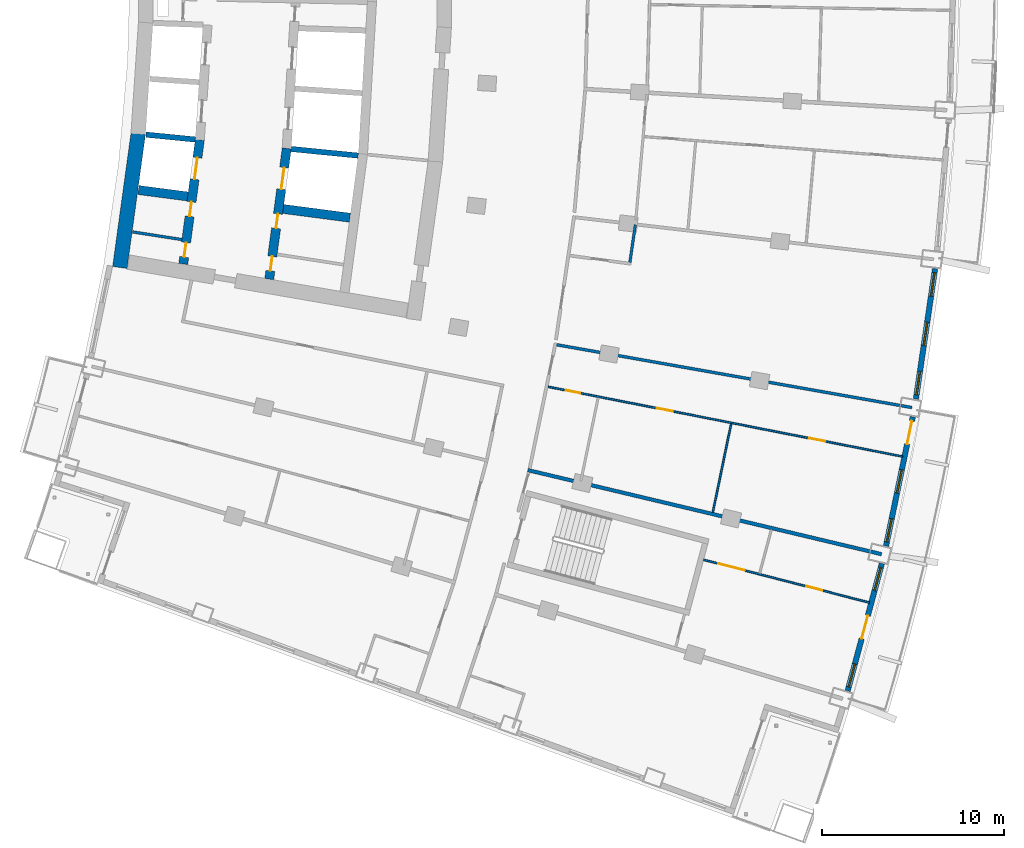
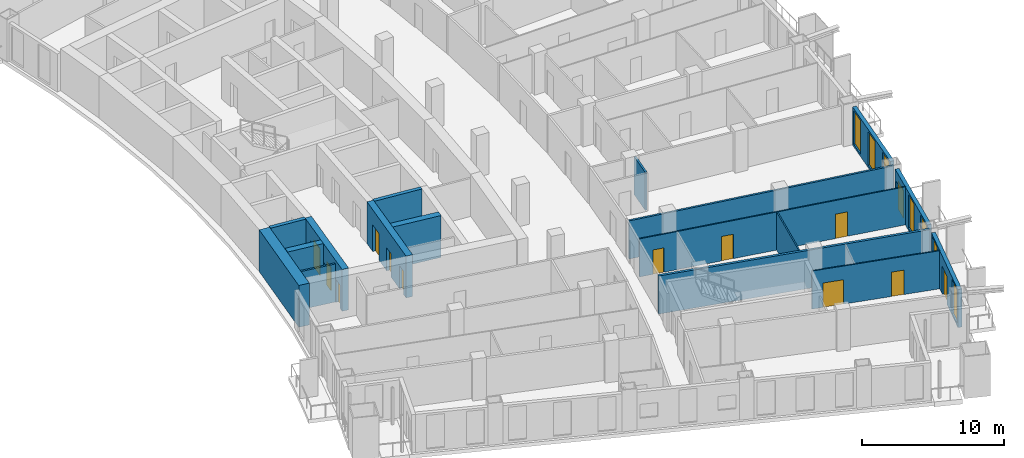
# One storey, part 15 of 25: 17 walls, 13 doors, 7 windows, 20 openings.
"""IFC4 building model written with IfcOpenShell, lengths in metres."""

from ifc_helpers import new_model, si_unit, direction, frame, frame_2d, origin, place, context, subcontext, project, spatial, rectangle, extrude, material, layer, layer_set, type_object, element, fill, save


model = new_model("IFC4")

# Units and contexts
model_context = context("Model", 3, precision=1e-05, world=origin(), true_north=direction((0.0, 1.0)))
body_context = subcontext(model_context, "Body", "Model", "MODEL_VIEW")
ifc_project = project(units=[si_unit("LENGTHUNIT", "METRE"), si_unit("AREAUNIT", "SQUARE_METRE"), si_unit("VOLUMEUNIT", "CUBIC_METRE"), si_unit("PLANEANGLEUNIT", "RADIAN"), si_unit("MASSUNIT", "GRAM", prefix="KILO")], contexts=[model_context])

# Site, building, storey
site_placement = place(None, origin())
site = spatial("IfcSite", under=ifc_project, at=site_placement, CompositionType="ELEMENT")
building_placement = place(site_placement, origin())
building = spatial("IfcBuilding", under=site, at=building_placement, Name="Alderwake Tower", CompositionType="ELEMENT")
storey_placement = place(building_placement, frame((0.0, 0.0, 107.60009765625)))
storey = spatial("IfcBuildingStorey", under=building, at=storey_placement, Name="L26", CompositionType="ELEMENT", Elevation=107.60009765625)

# Walls
ifc_material_1 = material(Name="Gypsum shaft wall system, rated")
ifc_layer_1 = layer(ifc_material_1, 0.14990234375)
ifc_layer_set_1 = layer_set([ifc_layer_1], Name="Core room partition 150")
wall_type_1 = type_object("IfcWallType", Name="Core room partition 150", PredefinedType="PARTITIONING", material=ifc_layer_set_1)
wall_1_placement = place(storey_placement, frame((16.122802734375, 46.082763671875, 0.0), z_axis=(0.0, 0.0, 1.0), x_axis=(0.988174136122, -0.153335829796, 0.0)))
element("IfcWall", 1, at=wall_1_placement, inside=storey, type_object=wall_type_1, Name="CW/L26/PR-161_+0", PredefinedType="PARTITIONING", context=body_context, shape_type="SweptSolid", body=[
    extrude(rectangle(XDim=2.740234375, YDim=0.14990234375, at=frame_2d((1.3701171875, 0.0))), origin(), (0.0, 0.0, 1.0), 3.27978515625),
])
ifc_material_2 = material(Name="Concrete C70/85", Category="concrete")
ifc_layer_2 = layer(ifc_material_2, 0.800048828125)
ifc_layer_set_2 = layer_set([ifc_layer_2], Name="Core wall outer 800 C70-85")
wall_type_2 = type_object("IfcWallType", Name="Core wall outer 800 C70-85", PredefinedType="SHEAR", material=ifc_layer_set_2)
wall_2_placement = place(storey_placement, frame((15.419921875, 44.12890625, 0.0), z_axis=(0.0, 0.0, 1.0), x_axis=(0.13634256868, 0.990661750531, 0.0)))
element("IfcWall", 2, at=wall_2_placement, inside=storey, type_object=wall_type_2, Name="Core wall CW.042", PredefinedType="SHEAR", context=body_context, shape_type="SweptSolid", body=[
    extrude(rectangle(XDim=7.42578125, YDim=0.800048828125, at=frame_2d((3.712890625, 0.0))), origin(), (0.0, 0.0, 1.0), 3.599853515625),
])
ifc_material_3 = material(Name="Concrete C70/85", Category="concrete")
ifc_layer_3 = layer(ifc_material_3, 0.300048828125)
ifc_layer_set_3 = layer_set([ifc_layer_3], Name="Core wall shaft 300 C70-85")
wall_type_3 = type_object("IfcWallType", Name="Core wall shaft 300 C70-85", PredefinedType="SHEAR", material=ifc_layer_set_3)
wall_3_placement = place(storey_placement, frame((16.8583984375, 51.4287109375, 0.0), z_axis=(0.0, 0.0, 1.0), x_axis=(0.995157330456, -0.098294901394, 0.0)))
element("IfcWall", 3, at=wall_3_placement, inside=storey, type_object=wall_type_3, Name="Core wall CW.065", PredefinedType="SHEAR", context=body_context, shape_type="SweptSolid", body=[
    extrude(rectangle(XDim=2.7197265625, YDim=0.300048828125, at=frame_2d((1.35986328125, 0.0))), origin(), (0.0, 0.0, 1.0), 3.599853515625),
])
wall_4_placement = place(storey_placement, frame((24.839599609375, 50.64013671875, 0.0), z_axis=(0.0, 0.0, 1.0), x_axis=(0.995150987401, -0.098359098589, 0.0)))
element("IfcWall", 4, at=wall_4_placement, inside=storey, type_object=wall_type_3, Name="Core wall CW.066", PredefinedType="SHEAR", context=body_context, shape_type="SweptSolid", body=[
    extrude(rectangle(XDim=3.69580078125, YDim=0.300048828125, at=frame_2d((1.847900390625, 0.0))), origin(), (0.0, 0.0, 1.0), 3.599853515625),
])

# Wall, openings, doors
ifc_material_4 = material(Name="Concrete C70/85", Category="concrete")
ifc_layer_4 = layer(ifc_material_4, 0.5)
ifc_layer_set_4 = layer_set([ifc_layer_4], Name="Core wall spine 500 C70-85")
wall_type_4 = type_object("IfcWallType", Name="Core wall spine 500 C70-85", PredefinedType="SHEAR", material=ifc_layer_set_4)
wall_5_placement = place(storey_placement, frame((19.81494140625, 51.145263671875, 0.0), z_axis=(0.0, 0.0, 1.0), x_axis=(-0.132349652161, -0.991203091991, 0.0)))
wall_5 = element("IfcWall", 5, at=wall_5_placement, inside=storey, type_object=wall_type_4, Name="Core wall CW.033", PredefinedType="SHEAR", context=body_context, shape_type="SweptSolid", body=[
    extrude(rectangle(XDim=6.880615234375, YDim=0.5, at=frame_2d((3.4404296875, 0.0))), origin(), (0.0, 0.0, 1.0), 3.599853515625),
])
opening_1_placement = place(wall_5_placement, frame((0.99072265625, 0.0, 0.0)))
opening_1 = element("IfcOpeningElement", 6, at=opening_1_placement, cuts=wall_5, Name="Opening LD-LP1", PredefinedType="OPENING", context=body_context, shape_type="SweptSolid", body=[
    extrude(rectangle(XDim=1.199951171875, YDim=2.300048828125, at=frame_2d((0.60009765625, 1.14990234375))), frame((0.0, 0.260009765625, 0.0), z_axis=(0.0, -1.0, 0.0), x_axis=(1.0, 0.0, 0.0)), (0.0, 0.0, 1.0), 0.52001953125),
])
opening_2_placement = place(wall_5_placement, frame((5.698486328125, 0.0, 0.0)))
opening_2 = element("IfcOpeningElement", 7, at=opening_2_placement, cuts=wall_5, Name="Opening C009", PredefinedType="OPENING", context=body_context, shape_type="SweptSolid", body=[
    extrude(rectangle(XDim=0.800048828125, YDim=2.0, at=frame_2d((0.39990234375, 1.0))), frame((0.0, 0.260009765625, 0.0), z_axis=(0.0, -1.0, 0.0), x_axis=(1.0, 0.0, 0.0)), (0.0, 0.0, 1.0), 0.52001953125),
])
opening_3_placement = place(wall_5_placement, frame((3.444580078125, 0.0, 0.0)))
opening_3 = element("IfcOpeningElement", 8, at=opening_3_placement, cuts=wall_5, Name="Opening C010", PredefinedType="OPENING", context=body_context, shape_type="SweptSolid", body=[
    extrude(rectangle(XDim=0.800048828125, YDim=2.0, at=frame_2d((0.39990234375, 1.0))), frame((0.0, 0.260009765625, 0.0), z_axis=(0.0, -1.0, 0.0), x_axis=(1.0, 0.0, 0.0)), (0.0, 0.0, 1.0), 0.52001953125),
])
ifc_material_5 = material(Name="Stainless steel sliding leaf", Category="steel")
door_type_1 = type_object("IfcDoorType", Name="Lift landing door 1200", OperationType="SLIDING_TO_LEFT", PredefinedType="DOOR", material=ifc_material_5)
door_1_placement = place(opening_1_placement, origin())
door_1 = element("IfcDoor", 9, at=door_1_placement, inside=storey, type_object=door_type_1, Name="Lift landing door LP1", OperationType="SLIDING_TO_LEFT", OverallHeight=2.300048828125, OverallWidth=1.199951171875, PredefinedType="DOOR", context=body_context, shape_type="SweptSolid", body=[
    extrude(rectangle(XDim=1.199951171875, YDim=2.300048828125, at=frame_2d((0.60009765625, 1.14990234375))), frame((0.0, 0.02490234375, 0.0), z_axis=(0.0, -1.0, 0.0), x_axis=(1.0, 0.0, 0.0)), (0.0, 0.0, 1.0), 0.050048828125),
])
fill(opening_1, door_1)
ifc_material_6 = material(Name="Painted steel leaf, rated", Category="steel")
door_type_2 = type_object("IfcDoorType", Name="Riser access door 800", OperationType="SINGLE_SWING_LEFT", PredefinedType="DOOR", material=ifc_material_6)
door_2_placement = place(opening_2_placement, origin())
door_2 = element("IfcDoor", 10, at=door_2_placement, inside=storey, type_object=door_type_2, Name="Riser access door", OperationType="SINGLE_SWING_LEFT", OverallHeight=2.0, OverallWidth=0.800048828125, PredefinedType="DOOR", context=body_context, shape_type="SweptSolid", body=[
    extrude(rectangle(XDim=0.800048828125, YDim=2.0, at=frame_2d((0.39990234375, 1.0))), frame((0.0, 0.02490234375, 0.0), z_axis=(0.0, -1.0, 0.0), x_axis=(1.0, 0.0, 0.0)), (0.0, 0.0, 1.0), 0.050048828125),
])
fill(opening_2, door_2)
door_3_placement = place(opening_3_placement, origin())
door_3 = element("IfcDoor", 11, at=door_3_placement, inside=storey, type_object=door_type_2, Name="Riser access door", OperationType="SINGLE_SWING_RIGHT", OverallHeight=2.0, OverallWidth=0.800048828125, PredefinedType="DOOR", context=body_context, shape_type="SweptSolid", body=[
    extrude(rectangle(XDim=0.800048828125, YDim=2.0, at=frame_2d((0.39990234375, 1.0))), frame((0.0, 0.02490234375, 0.0), z_axis=(0.0, -1.0, 0.0), x_axis=(1.0, 0.0, 0.0)), (0.0, 0.0, 1.0), 0.050048828125),
])
fill(opening_3, door_3)

wall_6_placement = place(storey_placement, frame((23.631103515625, 43.489501953125, 0.0), z_axis=(0.0, 0.0, 1.0), x_axis=(0.132532135635, 0.991178708924, 0.0)))
wall_6 = element("IfcWall", 12, at=wall_6_placement, inside=storey, type_object=wall_type_4, Name="Core wall CW.047", PredefinedType="SHEAR", context=body_context, shape_type="SweptSolid", body=[
    extrude(rectangle(XDim=7.248779296875, YDim=0.5, at=frame_2d((3.62451171875, 0.0))), origin(), (0.0, 0.0, 1.0), 3.599853515625),
])
opening_4_placement = place(wall_6_placement, frame((4.981201171875, 0.0, 0.0)))
opening_4 = element("IfcOpeningElement", 13, at=opening_4_placement, cuts=wall_6, Name="Opening LD-LP4", PredefinedType="OPENING", context=body_context, shape_type="SweptSolid", body=[
    extrude(rectangle(XDim=1.199951171875, YDim=2.300048828125, at=frame_2d((0.60009765625, 1.14990234375))), frame((0.0, 0.260009765625, 0.0), z_axis=(0.0, -1.0, 0.0), x_axis=(1.0, 0.0, 0.0)), (0.0, 0.0, 1.0), 0.52001953125),
])
opening_5_placement = place(wall_6_placement, frame((0.4580078125, 0.0, 0.0)))
opening_5 = element("IfcOpeningElement", 14, at=opening_5_placement, cuts=wall_6, Name="Opening C016", PredefinedType="OPENING", context=body_context, shape_type="SweptSolid", body=[
    extrude(rectangle(XDim=0.800048828125, YDim=2.0, at=frame_2d((0.39990234375, 1.0))), frame((0.0, 0.260009765625, 0.0), z_axis=(0.0, -1.0, 0.0), x_axis=(1.0, 0.0, 0.0)), (0.0, 0.0, 1.0), 0.52001953125),
])
opening_6_placement = place(wall_6_placement, frame((2.819580078125, 0.0, 0.0)))
opening_6 = element("IfcOpeningElement", 15, at=opening_6_placement, cuts=wall_6, Name="Opening C017", PredefinedType="OPENING", context=body_context, shape_type="SweptSolid", body=[
    extrude(rectangle(XDim=0.800048828125, YDim=2.0, at=frame_2d((0.39990234375, 1.0))), frame((0.0, 0.260009765625, 0.0), z_axis=(0.0, -1.0, 0.0), x_axis=(1.0, 0.0, 0.0)), (0.0, 0.0, 1.0), 0.52001953125),
])
door_4_placement = place(opening_4_placement, origin())
door_4 = element("IfcDoor", 16, at=door_4_placement, inside=storey, type_object=door_type_1, Name="Lift landing door LP4", OperationType="SLIDING_TO_LEFT", OverallHeight=2.300048828125, OverallWidth=1.199951171875, PredefinedType="DOOR", context=body_context, shape_type="SweptSolid", body=[
    extrude(rectangle(XDim=1.199951171875, YDim=2.300048828125, at=frame_2d((0.60009765625, 1.14990234375))), frame((0.0, 0.02490234375, 0.0), z_axis=(0.0, -1.0, 0.0), x_axis=(1.0, 0.0, 0.0)), (0.0, 0.0, 1.0), 0.050048828125),
])
fill(opening_4, door_4)
door_5_placement = place(opening_5_placement, origin())
door_5 = element("IfcDoor", 17, at=door_5_placement, inside=storey, type_object=door_type_2, Name="Riser access door", OperationType="SINGLE_SWING_LEFT", OverallHeight=2.0, OverallWidth=0.800048828125, PredefinedType="DOOR", context=body_context, shape_type="SweptSolid", body=[
    extrude(rectangle(XDim=0.800048828125, YDim=2.0, at=frame_2d((0.39990234375, 1.0))), frame((0.0, 0.02490234375, 0.0), z_axis=(0.0, -1.0, 0.0), x_axis=(1.0, 0.0, 0.0)), (0.0, 0.0, 1.0), 0.050048828125),
])
fill(opening_5, door_5)
door_6_placement = place(opening_6_placement, origin())
door_6 = element("IfcDoor", 18, at=door_6_placement, inside=storey, type_object=door_type_2, Name="Riser access door", OperationType="SINGLE_SWING_RIGHT", OverallHeight=2.0, OverallWidth=0.800048828125, PredefinedType="DOOR", context=body_context, shape_type="SweptSolid", body=[
    extrude(rectangle(XDim=0.800048828125, YDim=2.0, at=frame_2d((0.39990234375, 1.0))), frame((0.0, 0.02490234375, 0.0), z_axis=(0.0, -1.0, 0.0), x_axis=(1.0, 0.0, 0.0)), (0.0, 0.0, 1.0), 0.050048828125),
])
fill(opening_6, door_6)

# Walls
wall_7_placement = place(storey_placement, frame((16.43994140625, 48.38623046875, 0.0), z_axis=(0.0, 0.0, 1.0), x_axis=(0.991557472006, -0.129667959452, 0.0)))
element("IfcWall", 19, at=wall_7_placement, inside=storey, type_object=wall_type_4, Name="Core wall CW.067", PredefinedType="SHEAR", context=body_context, shape_type="SweptSolid", body=[
    extrude(rectangle(XDim=2.72998046875, YDim=0.5, at=frame_2d((1.364990234375, 0.0))), origin(), (0.0, 0.0, 1.0), 3.599853515625),
])
wall_8_placement = place(storey_placement, frame((24.39892578125, 47.345458984375, 0.0), z_axis=(0.0, 0.0, 1.0), x_axis=(0.991553185565, -0.129700733209, 0.0)))
element("IfcWall", 20, at=wall_8_placement, inside=storey, type_object=wall_type_4, Name="Core wall CW.069", PredefinedType="SHEAR", context=body_context, shape_type="SweptSolid", body=[
    extrude(rectangle(XDim=3.695068359375, YDim=0.5, at=frame_2d((1.84765625, 0.0))), origin(), (0.0, 0.0, 1.0), 3.599853515625),
])
ifc_material_7 = material(Name="Gypsum board on metal studs, rated")
ifc_layer_5 = layer(ifc_material_7, 0.159912109375)
ifc_layer_set_5 = layer_set([ifc_layer_5], Name="Corridor wall 160")
wall_type_5 = type_object("IfcWallType", Name="Corridor wall 160", PredefinedType="PARTITIONING", material=ifc_layer_set_5)
wall_9_placement = place(storey_placement, frame((58.944091796875, 36.431884765625, 0.0), z_axis=(0.0, 0.0, 1.0), x_axis=(-0.984723605958, 0.174124725039, 0.0)))
element("IfcWall", 21, at=wall_9_placement, inside=storey, type_object=wall_type_5, Name="WL/L26/W43", PredefinedType="PARTITIONING", context=body_context, shape_type="SweptSolid", body=[
    extrude(rectangle(XDim=19.820068359375, YDim=0.159912109375, at=frame_2d((9.91015625, 0.0))), origin(), (0.0, 0.0, 1.0), 3.27978515625),
])

# Wall, openings, door, windows
ifc_material_8 = material(Name="Precast concrete C50/60 spandrel panel", Category="concrete")
ifc_layer_6 = layer(ifc_material_8, 0.300048828125)
ifc_layer_set_6 = layer_set([ifc_layer_6], Name="External wall EW1 Precast concrete C50/60 spandrel")
wall_type_6 = type_object("IfcWallType", Name="External wall EW1 Precast concrete C50/60 spandrel", PredefinedType="SOLIDWALL", material=ifc_layer_set_6)
wall_10_placement = place(storey_placement, frame((55.413818359375, 20.865478515625, 0.0), z_axis=(0.0, 0.0, 1.0), x_axis=(0.259492183522, 0.965745207957, 0.0)))
wall_10 = element("IfcWall", 22, at=wall_10_placement, inside=storey, type_object=wall_type_6, Name="External wall 12", PredefinedType="SOLIDWALL", context=body_context, shape_type="SweptSolid", body=[
    extrude(rectangle(XDim=7.24072265625, YDim=0.300048828125, at=frame_2d((3.620361328125, 0.0))), origin(), (0.0, 0.0, 1.0), 3.27978515625),
])
opening_7_placement = place(wall_10_placement, frame((0.22900390625, 0.0, 0.199951171875)))
opening_7 = element("IfcOpeningElement", 23, at=opening_7_placement, cuts=wall_10, Name="Opening W1", PredefinedType="OPENING", context=body_context, shape_type="SweptSolid", body=[
    extrude(rectangle(XDim=1.300048828125, YDim=2.89990234375, at=frame_2d((0.64990234375, 1.449951171875))), frame((0.0, 0.159912109375, 0.0), z_axis=(0.0, -1.0, 0.0), x_axis=(1.0, 0.0, 0.0)), (0.0, 0.0, 1.0), 0.320068359375),
])
opening_8_placement = place(wall_10_placement, frame((2.97021484375, 0.0, 0.0)))
opening_8 = element("IfcOpeningElement", 24, at=opening_8_placement, cuts=wall_10, Name="Opening D03", PredefinedType="OPENING", context=body_context, shape_type="SweptSolid", body=[
    extrude(rectangle(XDim=1.300048828125, YDim=2.39990234375, at=frame_2d((0.64990234375, 1.199951171875))), frame((0.0, 0.159912109375, 0.0), z_axis=(0.0, -1.0, 0.0), x_axis=(1.0, 0.0, 0.0)), (0.0, 0.0, 1.0), 0.320068359375),
])
opening_9_placement = place(wall_10_placement, frame((5.711669921875, 0.0, 0.199951171875)))
opening_9 = element("IfcOpeningElement", 25, at=opening_9_placement, cuts=wall_10, Name="Opening W1", PredefinedType="OPENING", context=body_context, shape_type="SweptSolid", body=[
    extrude(rectangle(XDim=1.300048828125, YDim=2.89990234375, at=frame_2d((0.64990234375, 1.449951171875))), frame((0.0, 0.159912109375, 0.0), z_axis=(0.0, -1.0, 0.0), x_axis=(1.0, 0.0, 0.0)), (0.0, 0.0, 1.0), 0.320068359375),
])
ifc_material_9 = material(Name="Bronze tinted glass in aluminium frame", Category="aluminium")
door_type_3 = type_object("IfcDoorType", Name="Balcony door BD sliding", OperationType="SLIDING_TO_LEFT", PredefinedType="DOOR", material=ifc_material_9)
door_7_placement = place(opening_8_placement, origin())
door_7 = element("IfcDoor", 26, at=door_7_placement, inside=storey, type_object=door_type_3, Name="Door D03", OperationType="SLIDING_TO_LEFT", OverallHeight=2.39990234375, OverallWidth=1.300048828125, PredefinedType="DOOR", context=body_context, shape_type="SweptSolid", body=[
    extrude(rectangle(XDim=1.300048828125, YDim=2.39990234375, at=frame_2d((0.64990234375, 1.199951171875))), frame((0.0, 0.02490234375, 0.0), z_axis=(0.0, -1.0, 0.0), x_axis=(1.0, 0.0, 0.0)), (0.0, 0.0, 1.0), 0.050048828125),
])
fill(opening_8, door_7)
ifc_material_10 = material(Name="Bronze tinted glass in aluminium frame", Category="aluminium")
window_type = type_object("IfcWindowType", Name="Window W1 tall fixed and vent", PartitioningType="DOUBLE_PANEL_VERTICAL", PredefinedType="WINDOW", material=ifc_material_10)
window_1_placement = place(opening_7_placement, origin())
window_1 = element("IfcWindow", 27, at=window_1_placement, inside=storey, type_object=window_type, Name="Window W1 tall fixed and vent", OverallHeight=2.89990234375, OverallWidth=1.300048828125, PartitioningType="DOUBLE_PANEL_VERTICAL", PredefinedType="WINDOW", context=body_context, shape_type="SweptSolid", body=[
    extrude(rectangle(XDim=1.300048828125, YDim=2.89990234375, at=frame_2d((0.64990234375, 1.449951171875))), frame((0.0, 0.030029296875, 0.0), z_axis=(0.0, -1.0, 0.0), x_axis=(1.0, 0.0, 0.0)), (0.0, 0.0, 1.0), 0.06005859375),
])
fill(opening_7, window_1)
window_2_placement = place(opening_9_placement, origin())
window_2 = element("IfcWindow", 28, at=window_2_placement, inside=storey, type_object=window_type, Name="Window W1 tall fixed and vent", OverallHeight=2.89990234375, OverallWidth=1.300048828125, PartitioningType="DOUBLE_PANEL_VERTICAL", PredefinedType="WINDOW", context=body_context, shape_type="SweptSolid", body=[
    extrude(rectangle(XDim=1.300048828125, YDim=2.89990234375, at=frame_2d((0.64990234375, 1.449951171875))), frame((0.0, 0.030029296875, 0.0), z_axis=(0.0, -1.0, 0.0), x_axis=(1.0, 0.0, 0.0)), (0.0, 0.0, 1.0), 0.06005859375),
])
fill(opening_9, window_2)

wall_11_placement = place(storey_placement, frame((57.5234375, 28.828369140625, 0.0), z_axis=(0.0, 0.0, 1.0), x_axis=(0.202744971344, 0.97923157455, 0.0)))
wall_11 = element("IfcWall", 29, at=wall_11_placement, inside=storey, type_object=wall_type_6, Name="External wall 13", PredefinedType="SOLIDWALL", context=body_context, shape_type="SweptSolid", body=[
    extrude(rectangle(XDim=7.24072265625, YDim=0.300048828125, at=frame_2d((3.620361328125, 0.0))), origin(), (0.0, 0.0, 1.0), 3.27978515625),
])
opening_10_placement = place(wall_11_placement, frame((0.22900390625, 0.0, 0.199951171875)))
opening_10 = element("IfcOpeningElement", 30, at=opening_10_placement, cuts=wall_11, Name="Opening W1", PredefinedType="OPENING", context=body_context, shape_type="SweptSolid", body=[
    extrude(rectangle(XDim=1.300048828125, YDim=2.89990234375, at=frame_2d((0.64990234375, 1.449951171875))), frame((0.0, 0.159912109375, 0.0), z_axis=(0.0, -1.0, 0.0), x_axis=(1.0, 0.0, 0.0)), (0.0, 0.0, 1.0), 0.320068359375),
])
opening_11_placement = place(wall_11_placement, frame((2.970458984375, 0.0, 0.199951171875)))
opening_11 = element("IfcOpeningElement", 31, at=opening_11_placement, cuts=wall_11, Name="Opening W1", PredefinedType="OPENING", context=body_context, shape_type="SweptSolid", body=[
    extrude(rectangle(XDim=1.300048828125, YDim=2.89990234375, at=frame_2d((0.64990234375, 1.449951171875))), frame((0.0, 0.159912109375, 0.0), z_axis=(0.0, -1.0, 0.0), x_axis=(1.0, 0.0, 0.0)), (0.0, 0.0, 1.0), 0.320068359375),
])
opening_12_placement = place(wall_11_placement, frame((5.711669921875, 0.0, 0.0)))
opening_12 = element("IfcOpeningElement", 32, at=opening_12_placement, cuts=wall_11, Name="Opening D04", PredefinedType="OPENING", context=body_context, shape_type="SweptSolid", body=[
    extrude(rectangle(XDim=1.300048828125, YDim=2.39990234375, at=frame_2d((0.64990234375, 1.199951171875))), frame((0.0, 0.159912109375, 0.0), z_axis=(0.0, -1.0, 0.0), x_axis=(1.0, 0.0, 0.0)), (0.0, 0.0, 1.0), 0.320068359375),
])
door_8_placement = place(opening_12_placement, origin())
door_8 = element("IfcDoor", 33, at=door_8_placement, inside=storey, type_object=door_type_3, Name="Door D04", OperationType="SLIDING_TO_LEFT", OverallHeight=2.39990234375, OverallWidth=1.300048828125, PredefinedType="DOOR", context=body_context, shape_type="SweptSolid", body=[
    extrude(rectangle(XDim=1.300048828125, YDim=2.39990234375, at=frame_2d((0.64990234375, 1.199951171875))), frame((0.0, 0.02490234375, 0.0), z_axis=(0.0, -1.0, 0.0), x_axis=(1.0, 0.0, 0.0)), (0.0, 0.0, 1.0), 0.050048828125),
])
fill(opening_12, door_8)
window_3_placement = place(opening_10_placement, origin())
window_3 = element("IfcWindow", 34, at=window_3_placement, inside=storey, type_object=window_type, Name="Window W1 tall fixed and vent", OverallHeight=2.89990234375, OverallWidth=1.300048828125, PartitioningType="DOUBLE_PANEL_VERTICAL", PredefinedType="WINDOW", context=body_context, shape_type="SweptSolid", body=[
    extrude(rectangle(XDim=1.300048828125, YDim=2.89990234375, at=frame_2d((0.64990234375, 1.449951171875))), frame((0.0, 0.030029296875, 0.0), z_axis=(0.0, -1.0, 0.0), x_axis=(1.0, 0.0, 0.0)), (0.0, 0.0, 1.0), 0.06005859375),
])
fill(opening_10, window_3)
window_4_placement = place(opening_11_placement, origin())
window_4 = element("IfcWindow", 35, at=window_4_placement, inside=storey, type_object=window_type, Name="Window W1 tall fixed and vent", OverallHeight=2.89990234375, OverallWidth=1.300048828125, PartitioningType="DOUBLE_PANEL_VERTICAL", PredefinedType="WINDOW", context=body_context, shape_type="SweptSolid", body=[
    extrude(rectangle(XDim=1.300048828125, YDim=2.89990234375, at=frame_2d((0.64990234375, 1.449951171875))), frame((0.0, 0.030029296875, 0.0), z_axis=(0.0, -1.0, 0.0), x_axis=(1.0, 0.0, 0.0)), (0.0, 0.0, 1.0), 0.06005859375),
])
fill(opening_11, window_4)

# Wall, openings, windows
wall_12_placement = place(storey_placement, frame((59.1650390625, 36.90087890625, 0.0), z_axis=(0.0, 0.0, 1.0), x_axis=(0.145324114128, 0.989384102284, 0.0)))
wall_12 = element("IfcWall", 36, at=wall_12_placement, inside=storey, type_object=wall_type_6, Name="External wall 14", PredefinedType="SOLIDWALL", context=body_context, shape_type="SweptSolid", body=[
    extrude(rectangle(XDim=7.24072265625, YDim=0.300048828125, at=frame_2d((3.620361328125, 0.0))), origin(), (0.0, 0.0, 1.0), 3.27978515625),
])
opening_13_placement = place(wall_12_placement, frame((0.22900390625, 0.0, 0.199951171875)))
opening_13 = element("IfcOpeningElement", 37, at=opening_13_placement, cuts=wall_12, Name="Opening W1", PredefinedType="OPENING", context=body_context, shape_type="SweptSolid", body=[
    extrude(rectangle(XDim=1.300048828125, YDim=2.89990234375, at=frame_2d((0.64990234375, 1.449951171875))), frame((0.0, 0.159912109375, 0.0), z_axis=(0.0, -1.0, 0.0), x_axis=(1.0, 0.0, 0.0)), (0.0, 0.0, 1.0), 0.320068359375),
])
opening_14_placement = place(wall_12_placement, frame((2.97021484375, 0.0, 0.199951171875)))
opening_14 = element("IfcOpeningElement", 38, at=opening_14_placement, cuts=wall_12, Name="Opening W1", PredefinedType="OPENING", context=body_context, shape_type="SweptSolid", body=[
    extrude(rectangle(XDim=1.300048828125, YDim=2.89990234375, at=frame_2d((0.64990234375, 1.449951171875))), frame((0.0, 0.159912109375, 0.0), z_axis=(0.0, -1.0, 0.0), x_axis=(1.0, 0.0, 0.0)), (0.0, 0.0, 1.0), 0.320068359375),
])
opening_15_placement = place(wall_12_placement, frame((5.711669921875, 0.0, 0.199951171875)))
opening_15 = element("IfcOpeningElement", 39, at=opening_15_placement, cuts=wall_12, Name="Opening W1", PredefinedType="OPENING", context=body_context, shape_type="SweptSolid", body=[
    extrude(rectangle(XDim=1.300048828125, YDim=2.89990234375, at=frame_2d((0.64990234375, 1.449951171875))), frame((0.0, 0.159912109375, 0.0), z_axis=(0.0, -1.0, 0.0), x_axis=(1.0, 0.0, 0.0)), (0.0, 0.0, 1.0), 0.320068359375),
])
window_5_placement = place(opening_13_placement, origin())
window_5 = element("IfcWindow", 40, at=window_5_placement, inside=storey, type_object=window_type, Name="Window W1 tall fixed and vent", OverallHeight=2.89990234375, OverallWidth=1.300048828125, PartitioningType="DOUBLE_PANEL_VERTICAL", PredefinedType="WINDOW", context=body_context, shape_type="SweptSolid", body=[
    extrude(rectangle(XDim=1.300048828125, YDim=2.89990234375, at=frame_2d((0.64990234375, 1.449951171875))), frame((0.0, 0.030029296875, 0.0), z_axis=(0.0, -1.0, 0.0), x_axis=(1.0, 0.0, 0.0)), (0.0, 0.0, 1.0), 0.06005859375),
])
fill(opening_13, window_5)
window_6_placement = place(opening_14_placement, origin())
window_6 = element("IfcWindow", 41, at=window_6_placement, inside=storey, type_object=window_type, Name="Window W1 tall fixed and vent", OverallHeight=2.89990234375, OverallWidth=1.300048828125, PartitioningType="DOUBLE_PANEL_VERTICAL", PredefinedType="WINDOW", context=body_context, shape_type="SweptSolid", body=[
    extrude(rectangle(XDim=1.300048828125, YDim=2.89990234375, at=frame_2d((0.64990234375, 1.449951171875))), frame((0.0, 0.030029296875, 0.0), z_axis=(0.0, -1.0, 0.0), x_axis=(1.0, 0.0, 0.0)), (0.0, 0.0, 1.0), 0.06005859375),
])
fill(opening_14, window_6)
window_7_placement = place(opening_15_placement, origin())
window_7 = element("IfcWindow", 42, at=window_7_placement, inside=storey, type_object=window_type, Name="Window W1 tall fixed and vent", OverallHeight=2.89990234375, OverallWidth=1.300048828125, PartitioningType="DOUBLE_PANEL_VERTICAL", PredefinedType="WINDOW", context=body_context, shape_type="SweptSolid", body=[
    extrude(rectangle(XDim=1.300048828125, YDim=2.89990234375, at=frame_2d((0.64990234375, 1.449951171875))), frame((0.0, 0.030029296875, 0.0), z_axis=(0.0, -1.0, 0.0), x_axis=(1.0, 0.0, 0.0)), (0.0, 0.0, 1.0), 0.06005859375),
])
fill(opening_15, window_7)

# Walls
ifc_material_11 = material(Name="Dense block masonry wall", Category="masonry")
ifc_layer_7 = layer(ifc_material_11, 0.199951171875)
ifc_layer_set_7 = layer_set([ifc_layer_7], Name="Party wall 200")
wall_type_7 = type_object("IfcWallType", Name="Party wall 200", PredefinedType="SOLIDWALL", material=ifc_layer_set_7)
wall_13_placement = place(storey_placement, frame((37.839111328125, 32.994384765625, 0.0), z_axis=(0.0, 0.0, 1.0), x_axis=(0.97289006666, -0.231268065662, 0.0)))
element("IfcWall", 43, at=wall_13_placement, inside=storey, type_object=wall_type_7, Name="WL/L26/W06", PredefinedType="SOLIDWALL", context=body_context, shape_type="SweptSolid", body=[
    extrude(rectangle(XDim=19.978271484375, YDim=0.199951171875, at=frame_2d((9.9892578125, 0.0))), origin(), (0.0, 0.0, 1.0), 3.27978515625),
])
ifc_material_12 = material(Name="Gypsum shaft wall system, rated")
ifc_layer_8 = layer(ifc_material_12, 0.14990234375)
ifc_layer_set_8 = layer_set([ifc_layer_8], Name="Riser and shaft wall 150")
wall_type_8 = type_object("IfcWallType", Name="Riser and shaft wall 150", PredefinedType="PARTITIONING", material=ifc_layer_set_8)
wall_14_placement = place(storey_placement, frame((43.44775390625, 44.414306640625, 0.0), z_axis=(0.0, 0.0, 1.0), x_axis=(0.144502772087, 0.989504395573, 0.0)))
element("IfcWall", 44, at=wall_14_placement, inside=storey, type_object=wall_type_8, Name="WL/L26/W15", PredefinedType="PARTITIONING", context=body_context, shape_type="SweptSolid", body=[
    extrude(rectangle(XDim=2.0849609375, YDim=0.14990234375, at=frame_2d((1.04248046875, 0.0))), origin(), (0.0, 0.0, 1.0), 3.27978515625),
])

# Wall, openings, doors
ifc_material_13 = material(Name="Gypsum board on metal studs")
ifc_layer_9 = layer(ifc_material_13, 0.10009765625)
ifc_layer_set_9 = layer_set([ifc_layer_9], Name="Unit partition 100")
wall_type_9 = type_object("IfcWallType", Name="Unit partition 100", PredefinedType="PARTITIONING", material=ifc_layer_set_9)
wall_15_placement = place(storey_placement, frame((58.43701171875, 33.738037109375, 0.0), z_axis=(0.0, 0.0, 1.0), x_axis=(-0.98116765567, 0.193158047897, 0.0)))
wall_15 = element("IfcWall", 45, at=wall_15_placement, inside=storey, type_object=wall_type_9, Name="WL/L26/W71", PredefinedType="PARTITIONING", context=body_context, shape_type="SweptSolid", body=[
    extrude(rectangle(XDim=19.861572265625, YDim=0.10009765625, at=frame_2d((9.9306640625, 0.0))), origin(), (0.0, 0.0, 1.0), 3.27978515625),
])
opening_16_placement = place(wall_15_placement, frame((12.868896484375, 0.0, 0.0)))
opening_16 = element("IfcOpeningElement", 46, at=opening_16_placement, cuts=wall_15, Name="Opening R07-U05.1", PredefinedType="OPENING", context=body_context, shape_type="SweptSolid", body=[
    extrude(rectangle(XDim=0.89990234375, YDim=2.10009765625, at=frame_2d((0.449951171875, 1.050048828125))), frame((0.0, 0.06005859375, 0.0), z_axis=(0.0, -1.0, 0.0), x_axis=(1.0, 0.0, 0.0)), (0.0, 0.0, 1.0), 0.1201171875),
])
opening_17_placement = place(wall_15_placement, frame((18.052001953125, 0.0, 0.0)))
opening_17 = element("IfcOpeningElement", 47, at=opening_17_placement, cuts=wall_15, Name="Opening R07-U05.3", PredefinedType="OPENING", context=body_context, shape_type="SweptSolid", body=[
    extrude(rectangle(XDim=0.800048828125, YDim=2.10009765625, at=frame_2d((0.39990234375, 1.050048828125))), frame((0.0, 0.06005859375, 0.0), z_axis=(0.0, -1.0, 0.0), x_axis=(1.0, 0.0, 0.0)), (0.0, 0.0, 1.0), 0.1201171875),
])
opening_18_placement = place(wall_15_placement, frame((4.347412109375, 0.0, 0.0)))
opening_18 = element("IfcOpeningElement", 48, at=opening_18_placement, cuts=wall_15, Name="Opening R07-U05.4", PredefinedType="OPENING", context=body_context, shape_type="SweptSolid", body=[
    extrude(rectangle(XDim=0.89990234375, YDim=2.10009765625, at=frame_2d((0.449951171875, 1.050048828125))), frame((0.0, 0.06005859375, 0.0), z_axis=(0.0, -1.0, 0.0), x_axis=(1.0, 0.0, 0.0)), (0.0, 0.0, 1.0), 0.1201171875),
])
ifc_material_14 = material(Name="Painted timber leaf", Category="wood")
door_type_4 = type_object("IfcDoorType", Name="Bathroom door 800", OperationType="SINGLE_SWING_LEFT", PredefinedType="DOOR", material=ifc_material_14)
door_9_placement = place(opening_17_placement, origin())
door_9 = element("IfcDoor", 49, at=door_9_placement, inside=storey, type_object=door_type_4, Name="DR/L26/U05.3", OperationType="SINGLE_SWING_LEFT", OverallHeight=2.10009765625, OverallWidth=0.800048828125, PredefinedType="DOOR", context=body_context, shape_type="SweptSolid", body=[
    extrude(rectangle(XDim=0.800048828125, YDim=2.10009765625, at=frame_2d((0.39990234375, 1.050048828125))), frame((0.0, 0.02490234375, 0.0), z_axis=(0.0, -1.0, 0.0), x_axis=(1.0, 0.0, 0.0)), (0.0, 0.0, 1.0), 0.050048828125),
])
fill(opening_17, door_9)
ifc_material_15 = material(Name="Painted timber leaf", Category="wood")
door_type_5 = type_object("IfcDoorType", Name="Room door 900", OperationType="SINGLE_SWING_LEFT", PredefinedType="DOOR", material=ifc_material_15)
door_10_placement = place(opening_16_placement, origin())
door_10 = element("IfcDoor", 50, at=door_10_placement, inside=storey, type_object=door_type_5, Name="DR/L26/U05.1", OperationType="SINGLE_SWING_LEFT", OverallHeight=2.10009765625, OverallWidth=0.89990234375, PredefinedType="DOOR", context=body_context, shape_type="SweptSolid", body=[
    extrude(rectangle(XDim=0.89990234375, YDim=2.10009765625, at=frame_2d((0.449951171875, 1.050048828125))), frame((0.0, 0.02490234375, 0.0), z_axis=(0.0, -1.0, 0.0), x_axis=(1.0, 0.0, 0.0)), (0.0, 0.0, 1.0), 0.050048828125),
])
fill(opening_16, door_10)
door_11_placement = place(opening_18_placement, origin())
door_11 = element("IfcDoor", 51, at=door_11_placement, inside=storey, type_object=door_type_5, Name="DR/L26/U05.4", OperationType="SINGLE_SWING_LEFT", OverallHeight=2.10009765625, OverallWidth=0.89990234375, PredefinedType="DOOR", context=body_context, shape_type="SweptSolid", body=[
    extrude(rectangle(XDim=0.89990234375, YDim=2.10009765625, at=frame_2d((0.449951171875, 1.050048828125))), frame((0.0, 0.02490234375, 0.0), z_axis=(0.0, -1.0, 0.0), x_axis=(1.0, 0.0, 0.0)), (0.0, 0.0, 1.0), 0.050048828125),
])
fill(opening_18, door_11)

wall_16_placement = place(storey_placement, frame((56.613037109375, 25.712890625, 0.0), z_axis=(0.0, 0.0, 1.0), x_axis=(-0.9681944797, 0.250198819899, 0.0)))
wall_16 = element("IfcWall", 52, at=wall_16_placement, inside=storey, type_object=wall_type_9, Name="WL/L26/W80", PredefinedType="PARTITIONING", context=body_context, shape_type="SweptSolid", body=[
    extrude(rectangle(XDim=9.413330078125, YDim=0.10009765625, at=frame_2d((4.70654296875, 0.0))), origin(), (0.0, 0.0, 1.0), 3.27978515625),
])
opening_19_placement = place(wall_16_placement, frame((7.081298828125, 0.0, 0.0)))
opening_19 = element("IfcOpeningElement", 53, at=opening_19_placement, cuts=wall_16, Name="Opening R07-U01.2", PredefinedType="OPENING", context=body_context, shape_type="SweptSolid", body=[
    extrude(rectangle(XDim=1.5, YDim=2.10009765625, at=frame_2d((0.75, 1.050048828125))), frame((0.0, 0.06005859375, 0.0), z_axis=(0.0, -1.0, 0.0), x_axis=(1.0, 0.0, 0.0)), (0.0, 0.0, 1.0), 0.1201171875),
])
opening_20_placement = place(wall_16_placement, frame((2.6748046875, 0.0, 0.0)))
opening_20 = element("IfcOpeningElement", 54, at=opening_20_placement, cuts=wall_16, Name="Opening R07-U01.3", PredefinedType="OPENING", context=body_context, shape_type="SweptSolid", body=[
    extrude(rectangle(XDim=0.89990234375, YDim=2.10009765625, at=frame_2d((0.449951171875, 1.050048828125))), frame((0.0, 0.06005859375, 0.0), z_axis=(0.0, -1.0, 0.0), x_axis=(1.0, 0.0, 0.0)), (0.0, 0.0, 1.0), 0.1201171875),
])
ifc_material_16 = material(Name="Painted timber leaves", Category="wood")
door_type_6 = type_object("IfcDoorType", Name="Double leaf door 1500", OperationType="DOUBLE_DOOR_SINGLE_SWING", PredefinedType="DOOR", material=ifc_material_16)
door_12_placement = place(opening_19_placement, origin())
door_12 = element("IfcDoor", 55, at=door_12_placement, inside=storey, type_object=door_type_6, Name="DR/L26/U01.2", OperationType="DOUBLE_DOOR_SINGLE_SWING", OverallHeight=2.10009765625, OverallWidth=1.5, PredefinedType="DOOR", context=body_context, shape_type="SweptSolid", body=[
    extrude(rectangle(XDim=1.5, YDim=2.10009765625, at=frame_2d((0.75, 1.050048828125))), frame((0.0, 0.02490234375, 0.0), z_axis=(0.0, -1.0, 0.0), x_axis=(1.0, 0.0, 0.0)), (0.0, 0.0, 1.0), 0.050048828125),
])
fill(opening_19, door_12)
door_13_placement = place(opening_20_placement, origin())
door_13 = element("IfcDoor", 56, at=door_13_placement, inside=storey, type_object=door_type_5, Name="DR/L26/U01.3", OperationType="SINGLE_SWING_LEFT", OverallHeight=2.10009765625, OverallWidth=0.89990234375, PredefinedType="DOOR", context=body_context, shape_type="SweptSolid", body=[
    extrude(rectangle(XDim=0.89990234375, YDim=2.10009765625, at=frame_2d((0.449951171875, 1.050048828125))), frame((0.0, 0.02490234375, 0.0), z_axis=(0.0, -1.0, 0.0), x_axis=(1.0, 0.0, 0.0)), (0.0, 0.0, 1.0), 0.050048828125),
])
fill(opening_20, door_13)

# Wall
wall_17_placement = place(storey_placement, frame((48.00537109375, 30.679931640625, 0.0), z_axis=(0.0, 0.0, 1.0), x_axis=(0.202880316238, 0.979203542316, 0.0)))
element("IfcWall", 57, at=wall_17_placement, inside=storey, type_object=wall_type_9, Name="WL/L26/W82", PredefinedType="PARTITIONING", context=body_context, shape_type="SweptSolid", body=[
    extrude(rectangle(XDim=4.96630859375, YDim=0.10009765625, at=frame_2d((2.483154296875, 0.0))), origin(), (0.0, 0.0, 1.0), 3.27978515625),
])

save(model, "model.ifc")
